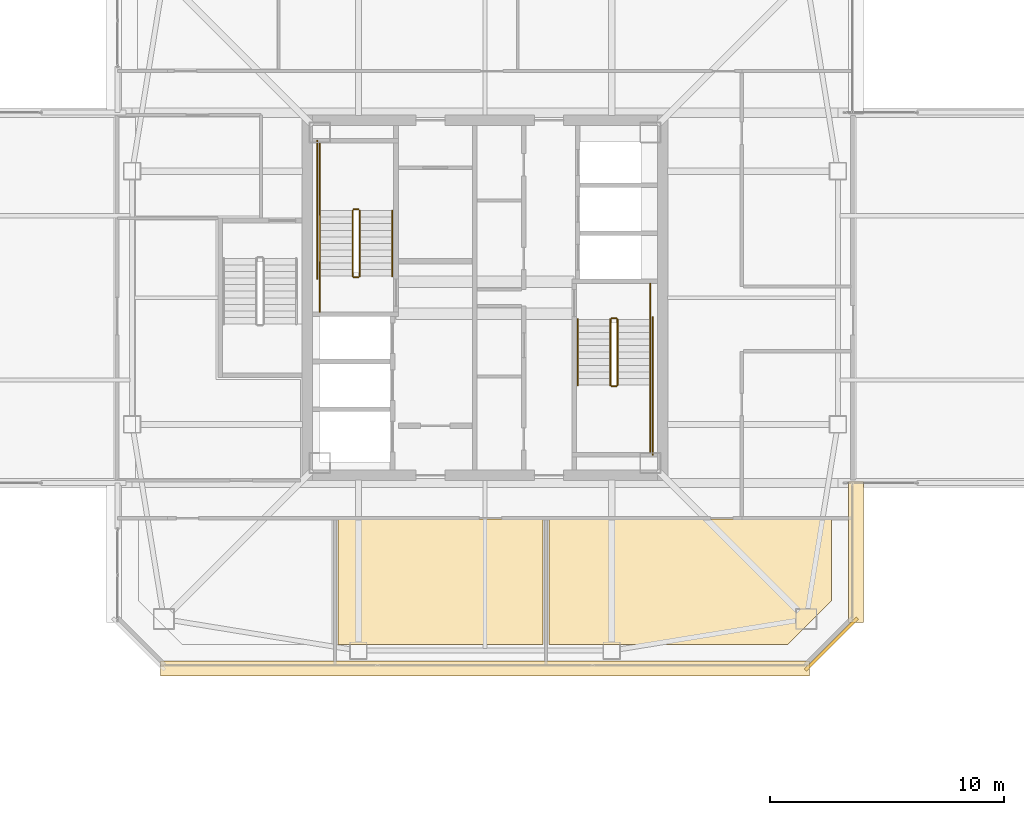
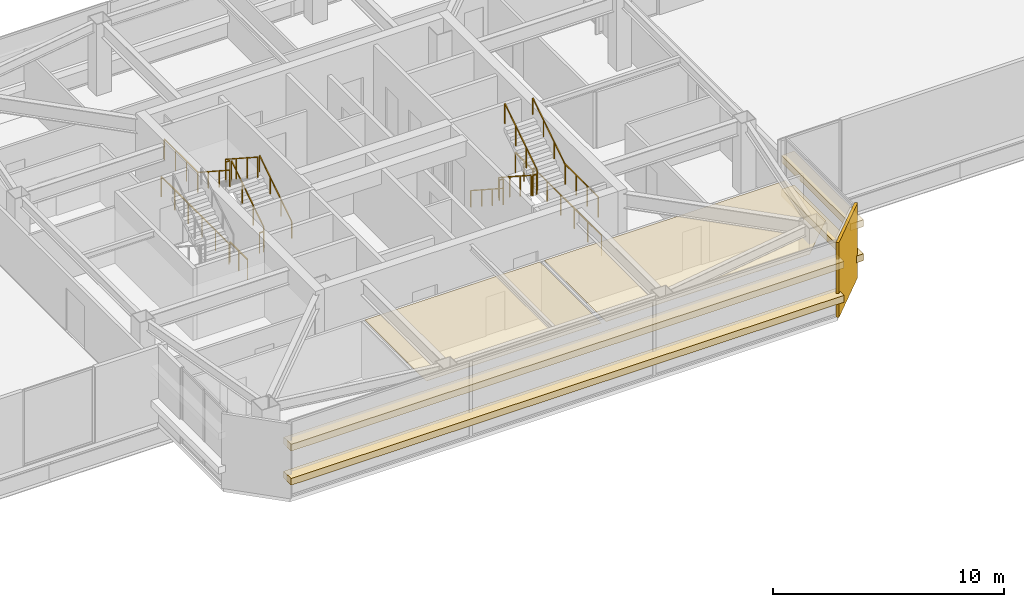
# One storey, part 46 of 51: 18 railings, 7 coverings.
"""IFC4 building model written with IfcOpenShell, lengths in metres."""

from ifc_helpers import new_model, si_unit, direction, frame, origin, origin_2d, place, context, subcontext, project, spatial, polyline, rectangle, outline, extrude, material, layer, layer_set, type_object, element, save


model = new_model("IFC4")

# Units and contexts
model_context = context("Model", 3, precision=1e-05, world=origin(), true_north=direction((0.0, 1.0)))
body_context = subcontext(model_context, "Body", "Model", "MODEL_VIEW")
ifc_project = project(units=[si_unit("LENGTHUNIT", "METRE"), si_unit("AREAUNIT", "SQUARE_METRE"), si_unit("VOLUMEUNIT", "CUBIC_METRE"), si_unit("PLANEANGLEUNIT", "RADIAN"), si_unit("MASSUNIT", "GRAM", prefix="KILO")], contexts=[model_context])

# Site, building, storey
site_placement = place(None, origin())
site = spatial("IfcSite", under=ifc_project, at=site_placement, CompositionType="ELEMENT")
building_placement = place(site_placement, origin())
building = spatial("IfcBuilding", under=site, at=building_placement, Name="Tashvorn Skyway Center", CompositionType="ELEMENT")
storey_placement = place(building_placement, frame((0.0, 0.0, 251.39990234375)))
storey = spatial("IfcBuildingStorey", under=building, at=storey_placement, Name="L68", CompositionType="ELEMENT", Elevation=251.39990234375)

# Coverings
ifc_material_1 = material(Name="Mineral-fibre acoustic ceiling tile on suspended grid")
ifc_layer_1 = layer(ifc_material_1, 0.02001953125)
ifc_layer_set_1 = layer_set([ifc_layer_1], Name="Mineral-fibre acoustic ceiling tile on suspended grid")
covering_type_1 = type_object("IfcCoveringType", Name="COV-CEIL-20", PredefinedType="CEILING", material=ifc_layer_set_1)
covering_1_placement = place(storey_placement, frame((0.0, 0.0, 2.951171875)))
element("IfcCovering", 1, at=covering_1_placement, inside=storey, type_object=covering_type_1, Name="Tower 1 L68 Boardroom Acoustic Ceiling", PredefinedType="CEILING", context=body_context, shape_type="SweptSolid", body=[
    extrude(outline(polyline([(35.719970703125, 22.56005859375), (44.47998046875, 22.56005859375), (44.47998046875, 17.219970703125), (35.719970703125, 17.219970703125), (35.719970703125, 22.56005859375)])), origin(), (0.0, 0.0, 1.0), 0.02001953125),
])
covering_2_placement = place(storey_placement, frame((0.0, 0.0, 2.951171875)))
element("IfcCovering", 2, at=covering_2_placement, inside=storey, type_object=covering_type_1, Name="Tower 1 L68 Boardroom Acoustic Ceiling", PredefinedType="CEILING", context=body_context, shape_type="SweptSolid", body=[
    extrude(outline(polyline([(44.719970703125, 17.219970703125), (44.719970703125, 22.56005859375), (56.780029296875, 22.56005859375), (56.780029296875, 19.080078125), (54.919921875, 17.219970703125), (44.719970703125, 17.219970703125)])), origin(), (0.0, 0.0, 1.0), 0.02001953125),
])
ifc_material_2 = material(Name="Perforated ceramic-coated bronze aluminium solar screen", Category="aluminium")
ifc_layer_2 = layer(ifc_material_2, 0.85009765625)
ifc_layer_set_2 = layer_set([ifc_layer_2], Name="Perforated ceramic-coated bronze aluminium solar screen")
covering_type_2 = type_object("IfcCoveringType", Name="COV-SOLAR-BAND", PredefinedType="CLADDING", material=ifc_layer_set_2)
for number, where, z_axis, x_axis, name in (
    (3, (42.0, 16.179931640625, 0.919921875), (0.0, 0.0, 1.0), (-1.0, 0.0, 0.0), "L68 Perforated Ceramic-Metal Solar Screen Louvre Band South 1"),
    (4, (42.0, 16.179931640625, 2.72021484375), (0.0, 0.0, 1.0), (-1.0, 0.0, 0.0), "L68 Perforated Ceramic-Metal Solar Screen Louvre Band South 2"),
):
    element("IfcCovering", number, at=place(storey_placement, frame(where, z_axis=z_axis, x_axis=x_axis)), inside=storey, type_object=covering_type_2, Name=name, PredefinedType="CLADDING", context=body_context, shape_type="SweptSolid", body=[
        extrude(rectangle(XDim=27.679931640625, YDim=0.639892578125, at=origin_2d()), origin(), (0.0, 0.0, 1.0), 0.360107421875),
    ])
for number, where, z_axis, x_axis, name in (
    (5, (57.820068359375, 21.159912109375, 0.919921875), (0.0, 0.0, 1.0), (0.0, -1.0, 0.0), "L68 Perforated Ceramic-Metal Solar Screen Louvre Band East 1"),
    (6, (57.820068359375, 21.159912109375, 2.72021484375), (0.0, 0.0, 1.0), (0.0, -1.0, 0.0), "L68 Perforated Ceramic-Metal Solar Screen Louvre Band East 2"),
):
    element("IfcCovering", number, at=place(storey_placement, frame(where, z_axis=z_axis, x_axis=x_axis)), inside=storey, type_object=covering_type_2, Name=name, PredefinedType="CLADDING", context=body_context, shape_type="SweptSolid", body=[
        extrude(rectangle(XDim=6.0, YDim=0.639892578125, at=origin_2d()), origin(), (0.0, 0.0, 1.0), 0.360107421875),
    ])
ifc_material_3 = material(Name="Precast concrete C40/50", Category="concrete")
ifc_layer_3 = layer(ifc_material_3, 0.35009765625)
ifc_layer_set_3 = layer_set([ifc_layer_3], Name="Precast concrete C40/50")
covering_type_3 = type_object("IfcCoveringType", Name="COV-STONE-TRIM", PredefinedType="CLADDING", material=ifc_layer_set_3)
covering_3_placement = place(storey_placement, frame((56.77001953125, 17.22998046875, 0.02001953125), z_axis=(0.0, 0.0, 1.0), x_axis=(0.707106781187, 0.707106781187, 0.0)))
element("IfcCovering", 7, at=covering_3_placement, inside=storey, type_object=covering_type_3, Name="Tower 1 L68 SE Mojave Limestone Corner Quoin", PredefinedType="CLADDING", context=body_context, shape_type="SweptSolid", body=[
    extrude(rectangle(XDim=3.1298828125, YDim=0.139892578125, at=origin_2d()), origin(), (0.0, 0.0, 1.0), 3.9599609375),
])

# Railings
ifc_material_4 = material(Name="Brushed stainless steel 316", Category="steel")
railing_type_1 = type_object("IfcRailingType", Name="RAIL-HAND-920", PredefinedType="HANDRAIL", material=ifc_material_4)
railing_1_placement = place(storey_placement, frame((38.050048828125, 32.919921875, 0.181884765625)))
element("IfcRailing", 8, at=railing_1_placement, inside=storey, type_object=railing_type_1, Name="L68 ST-T1-1 stair handrail 1", PredefinedType="HANDRAIL", context=body_context, shape_type="SweptSolid", body=[
    extrude(rectangle(XDim=0.048095703125, YDim=0.048095703125, at=origin_2d()), frame((0.0, 0.0, 0.8759765625), z_axis=(0.0, 0.838705829183, 0.544584733623), x_axis=(-1.0, 0.0, 0.0)), (0.0, 0.0, 1.0), 3.338623046875),
    extrude(rectangle(XDim=0.0419921875, YDim=0.0419921875, at=origin_2d()), origin(), (0.0, 0.0, 1.0), 0.851806640625),
    extrude(rectangle(XDim=0.0419921875, YDim=0.0419921875, at=origin_2d()), frame((0.0, 0.933349609375, 0.60595703125)), (0.0, 0.0, 1.0), 0.851806640625),
    extrude(rectangle(XDim=0.0419921875, YDim=0.0419921875, at=origin_2d()), frame((0.0, 1.86669921875, 1.212158203125)), (0.0, 0.0, 1.0), 0.851806640625),
    extrude(rectangle(XDim=0.0419921875, YDim=0.0419921875, at=origin_2d()), frame((0.0, 2.800048828125, 1.818115234375)), (0.0, 0.0, 1.0), 0.851806640625),
])
for number, where, name in (
    (9, (34.949951171875, 35.719970703125, 2.181884765625), "L68 ST-T1-1 stair handrail 2"),
    (10, (45.949951171875, 31.080078125, 0.181884765625), "L68 ST-T1-2 stair handrail 1"),
):
    element("IfcRailing", number, at=place(storey_placement, frame(where)), inside=storey, type_object=railing_type_1, Name=name, PredefinedType="HANDRAIL", context=body_context, shape_type="SweptSolid", body=[
        extrude(rectangle(XDim=0.048095703125, YDim=0.048095703125, at=origin_2d()), frame((0.0, 0.0, 0.8759765625), z_axis=(0.0, -0.838705829183, 0.544584733623), x_axis=(1.0, 0.0, 0.0)), (0.0, 0.0, 1.0), 3.338623046875),
        extrude(rectangle(XDim=0.0419921875, YDim=0.0419921875, at=origin_2d()), origin(), (0.0, 0.0, 1.0), 0.851806640625),
        extrude(rectangle(XDim=0.0419921875, YDim=0.0419921875, at=origin_2d()), frame((0.0, -0.933349609375, 0.60595703125)), (0.0, 0.0, 1.0), 0.851806640625),
        extrude(rectangle(XDim=0.0419921875, YDim=0.0419921875, at=origin_2d()), frame((0.0, -1.86669921875, 1.212158203125)), (0.0, 0.0, 1.0), 0.851806640625),
        extrude(rectangle(XDim=0.0419921875, YDim=0.0419921875, at=origin_2d()), frame((0.0, -2.800048828125, 1.818115234375)), (0.0, 0.0, 1.0), 0.851806640625),
    ])
railing_2_placement = place(storey_placement, frame((49.050048828125, 28.280029296875, 2.181884765625)))
element("IfcRailing", 11, at=railing_2_placement, inside=storey, type_object=railing_type_1, Name="L68 ST-T1-2 stair handrail 2", PredefinedType="HANDRAIL", context=body_context, shape_type="SweptSolid", body=[
    extrude(rectangle(XDim=0.048095703125, YDim=0.048095703125, at=origin_2d()), frame((0.0, 0.0, 0.8759765625), z_axis=(0.0, 0.838705829183, 0.544584733623), x_axis=(-1.0, 0.0, 0.0)), (0.0, 0.0, 1.0), 3.338623046875),
    extrude(rectangle(XDim=0.0419921875, YDim=0.0419921875, at=origin_2d()), origin(), (0.0, 0.0, 1.0), 0.851806640625),
    extrude(rectangle(XDim=0.0419921875, YDim=0.0419921875, at=origin_2d()), frame((0.0, 0.933349609375, 0.60595703125)), (0.0, 0.0, 1.0), 0.851806640625),
    extrude(rectangle(XDim=0.0419921875, YDim=0.0419921875, at=origin_2d()), frame((0.0, 1.86669921875, 1.212158203125)), (0.0, 0.0, 1.0), 0.851806640625),
    extrude(rectangle(XDim=0.0419921875, YDim=0.0419921875, at=origin_2d()), frame((0.0, 2.800048828125, 1.818115234375)), (0.0, 0.0, 1.0), 0.851806640625),
])
ifc_material_5 = material(Name="Painted galvanized steel S355", Category="steel")
railing_type_2 = type_object("IfcRailingType", Name="RAIL-STGUARD-1100", PredefinedType="GUARDRAIL", material=ifc_material_5)
railing_3_placement = place(storey_placement, frame((36.64990234375, 32.919921875, 0.181884765625)))
element("IfcRailing", 12, at=railing_3_placement, inside=storey, type_object=railing_type_2, Name="L68 ST-T1-1 stair guard 1", PredefinedType="GUARDRAIL", context=body_context, shape_type="SweptSolid", body=[
    extrude(rectangle(XDim=0.048095703125, YDim=0.048095703125, at=origin_2d()), frame((0.0, 0.0, 1.076171875), z_axis=(0.0, 0.838705829183, 0.544584733623), x_axis=(-1.0, 0.0, 0.0)), (0.0, 0.0, 1.0), 3.338623046875),
    extrude(rectangle(XDim=0.0419921875, YDim=0.0419921875, at=origin_2d()), origin(), (0.0, 0.0, 1.0), 1.052001953125),
    extrude(rectangle(XDim=0.0419921875, YDim=0.0419921875, at=origin_2d()), frame((0.0, 0.933349609375, 0.60595703125)), (0.0, 0.0, 1.0), 1.052001953125),
    extrude(rectangle(XDim=0.0419921875, YDim=0.0419921875, at=origin_2d()), frame((0.0, 1.86669921875, 1.212158203125)), (0.0, 0.0, 1.0), 1.052001953125),
    extrude(rectangle(XDim=0.0419921875, YDim=0.0419921875, at=origin_2d()), frame((0.0, 2.800048828125, 1.818115234375)), (0.0, 0.0, 1.0), 1.052001953125),
])
railing_4_placement = place(storey_placement, frame((36.60009765625, 35.77001953125, 2.0)))
element("IfcRailing", 13, at=railing_4_placement, inside=storey, type_object=railing_type_2, Name="L68 ST-T1-1 stair guard 2", PredefinedType="GUARDRAIL", context=body_context, shape_type="SweptSolid", body=[
    extrude(rectangle(XDim=0.048095703125, YDim=0.048095703125, at=origin_2d()), frame((0.0, 0.0, 1.076171875), z_axis=(-1.0, 0.0, 0.0), x_axis=(0.0, -1.0, 0.0)), (0.0, 0.0, 1.0), 0.2001953125),
    extrude(rectangle(XDim=0.0419921875, YDim=0.0419921875, at=origin_2d()), origin(), (0.0, 0.0, 1.0), 1.052001953125),
    extrude(rectangle(XDim=0.0419921875, YDim=0.0419921875, at=origin_2d()), frame((-0.2001953125, 0.0, 0.0)), (0.0, 0.0, 1.0), 1.052001953125),
])
railing_5_placement = place(storey_placement, frame((34.949951171875, 35.719970703125, 2.0)))
element("IfcRailing", 14, at=railing_5_placement, inside=storey, type_object=railing_type_2, Name="L68 ST-T1-1 stair guard 3", PredefinedType="GUARDRAIL", context=body_context, shape_type="SweptSolid", body=[
    extrude(rectangle(XDim=0.048095703125, YDim=0.048095703125, at=origin_2d()), frame((0.0, 0.0, 1.076171875), z_axis=(0.0, 1.0, 0.0), x_axis=(-1.0, 0.0, 0.0)), (0.0, 0.0, 1.0), 2.880126953125),
    extrude(rectangle(XDim=0.0419921875, YDim=0.0419921875, at=origin_2d()), origin(), (0.0, 0.0, 1.0), 1.052001953125),
    extrude(rectangle(XDim=0.0419921875, YDim=0.0419921875, at=origin_2d()), frame((0.0, 0.9599609375, 0.0)), (0.0, 0.0, 1.0), 1.052001953125),
    extrude(rectangle(XDim=0.0419921875, YDim=0.0419921875, at=origin_2d()), frame((0.0, 1.920166015625, 0.0)), (0.0, 0.0, 1.0), 1.052001953125),
    extrude(rectangle(XDim=0.0419921875, YDim=0.0419921875, at=origin_2d()), frame((0.0, 2.880126953125, 0.0)), (0.0, 0.0, 1.0), 1.052001953125),
])
railing_6_placement = place(storey_placement, frame((36.35009765625, 35.719970703125, 2.181884765625)))
element("IfcRailing", 15, at=railing_6_placement, inside=storey, type_object=railing_type_2, Name="L68 ST-T1-1 stair guard 4", PredefinedType="GUARDRAIL", context=body_context, shape_type="SweptSolid", body=[
    extrude(rectangle(XDim=0.048095703125, YDim=0.048095703125, at=origin_2d()), frame((0.0, 0.0, 1.076171875), z_axis=(0.0, -0.838705829183, 0.544584733623), x_axis=(1.0, 0.0, 0.0)), (0.0, 0.0, 1.0), 3.338623046875),
    extrude(rectangle(XDim=0.0419921875, YDim=0.0419921875, at=origin_2d()), origin(), (0.0, 0.0, 1.0), 1.052001953125),
    extrude(rectangle(XDim=0.0419921875, YDim=0.0419921875, at=origin_2d()), frame((0.0, -0.933349609375, 0.60595703125)), (0.0, 0.0, 1.0), 1.052001953125),
    extrude(rectangle(XDim=0.0419921875, YDim=0.0419921875, at=origin_2d()), frame((0.0, -1.86669921875, 1.212158203125)), (0.0, 0.0, 1.0), 1.052001953125),
    extrude(rectangle(XDim=0.0419921875, YDim=0.0419921875, at=origin_2d()), frame((0.0, -2.800048828125, 1.818115234375)), (0.0, 0.0, 1.0), 1.052001953125),
])
railing_7_placement = place(storey_placement, frame((36.60009765625, 32.8701171875, 0.0)))
element("IfcRailing", 16, at=railing_7_placement, inside=storey, type_object=railing_type_2, Name="L68 ST-T1-1 stair guard 5", PredefinedType="GUARDRAIL", context=body_context, shape_type="SweptSolid", body=[
    extrude(rectangle(XDim=0.048095703125, YDim=0.048095703125, at=origin_2d()), frame((0.0, 0.0, 1.076171875), z_axis=(-1.0, 0.0, 0.0), x_axis=(0.0, -1.0, 0.0)), (0.0, 0.0, 1.0), 0.2001953125),
    extrude(rectangle(XDim=0.0419921875, YDim=0.0419921875, at=origin_2d()), origin(), (0.0, 0.0, 1.0), 1.052001953125),
    extrude(rectangle(XDim=0.0419921875, YDim=0.0419921875, at=origin_2d()), frame((-0.2001953125, 0.0, 0.0)), (0.0, 0.0, 1.0), 1.052001953125),
])
railing_8_placement = place(storey_placement, frame((34.949951171875, 31.39990234375, 0.0)))
element("IfcRailing", 17, at=railing_8_placement, inside=storey, type_object=railing_type_2, Name="L68 ST-T1-1 stair guard 6", PredefinedType="GUARDRAIL", context=body_context, shape_type="SweptSolid", body=[
    extrude(rectangle(XDim=0.048095703125, YDim=0.048095703125, at=origin_2d()), frame((0.0, 0.0, 1.076171875), z_axis=(0.0, 1.0, 0.0), x_axis=(-1.0, 0.0, 0.0)), (0.0, 0.0, 1.0), 1.52001953125),
    extrude(rectangle(XDim=0.0419921875, YDim=0.0419921875, at=origin_2d()), origin(), (0.0, 0.0, 1.0), 1.052001953125),
    extrude(rectangle(XDim=0.0419921875, YDim=0.0419921875, at=origin_2d()), frame((0.0, 0.760009765625, 0.0)), (0.0, 0.0, 1.0), 1.052001953125),
    extrude(rectangle(XDim=0.0419921875, YDim=0.0419921875, at=origin_2d()), frame((0.0, 1.52001953125, 0.0)), (0.0, 0.0, 1.0), 1.052001953125),
])
railing_9_placement = place(storey_placement, frame((34.85009765625, 32.820068359375, 0.0)))
element("IfcRailing", 18, at=railing_9_placement, inside=storey, type_object=railing_type_2, Name="L68 ST-T1-1 stair guard 7", PredefinedType="GUARDRAIL", context=body_context, shape_type="SweptSolid", body=[
    extrude(rectangle(XDim=0.048095703125, YDim=0.048095703125, at=origin_2d()), frame((0.0, 0.0, 1.076171875), z_axis=(0.0, 1.0, 0.0), x_axis=(-1.0, 0.0, 0.0)), (0.0, 0.0, 1.0), 5.8798828125),
    extrude(rectangle(XDim=0.0419921875, YDim=0.0419921875, at=origin_2d()), origin(), (0.0, 0.0, 1.0), 1.052001953125),
    extrude(rectangle(XDim=0.0419921875, YDim=0.0419921875, at=origin_2d()), frame((0.0, 1.176025390625, 0.0)), (0.0, 0.0, 1.0), 1.052001953125),
    extrude(rectangle(XDim=0.0419921875, YDim=0.0419921875, at=origin_2d()), frame((0.0, 2.35205078125, 0.0)), (0.0, 0.0, 1.0), 1.052001953125),
    extrude(rectangle(XDim=0.0419921875, YDim=0.0419921875, at=origin_2d()), frame((0.0, 3.52783203125, 0.0)), (0.0, 0.0, 1.0), 1.052001953125),
    extrude(rectangle(XDim=0.0419921875, YDim=0.0419921875, at=origin_2d()), frame((0.0, 4.703857421875, 0.0)), (0.0, 0.0, 1.0), 1.052001953125),
    extrude(rectangle(XDim=0.0419921875, YDim=0.0419921875, at=origin_2d()), frame((0.0, 5.8798828125, 0.0)), (0.0, 0.0, 1.0), 1.052001953125),
])
railing_10_placement = place(storey_placement, frame((47.35009765625, 31.080078125, 0.181884765625)))
element("IfcRailing", 19, at=railing_10_placement, inside=storey, type_object=railing_type_2, Name="L68 ST-T1-2 stair guard 1", PredefinedType="GUARDRAIL", context=body_context, shape_type="SweptSolid", body=[
    extrude(rectangle(XDim=0.048095703125, YDim=0.048095703125, at=origin_2d()), frame((0.0, 0.0, 1.076171875), z_axis=(0.0, -0.838705829183, 0.544584733623), x_axis=(1.0, 0.0, 0.0)), (0.0, 0.0, 1.0), 3.338623046875),
    extrude(rectangle(XDim=0.0419921875, YDim=0.0419921875, at=origin_2d()), origin(), (0.0, 0.0, 1.0), 1.052001953125),
    extrude(rectangle(XDim=0.0419921875, YDim=0.0419921875, at=origin_2d()), frame((0.0, -0.933349609375, 0.60595703125)), (0.0, 0.0, 1.0), 1.052001953125),
    extrude(rectangle(XDim=0.0419921875, YDim=0.0419921875, at=origin_2d()), frame((0.0, -1.86669921875, 1.212158203125)), (0.0, 0.0, 1.0), 1.052001953125),
    extrude(rectangle(XDim=0.0419921875, YDim=0.0419921875, at=origin_2d()), frame((0.0, -2.800048828125, 1.818115234375)), (0.0, 0.0, 1.0), 1.052001953125),
])
railing_11_placement = place(storey_placement, frame((47.39990234375, 28.22998046875, 2.0)))
element("IfcRailing", 20, at=railing_11_placement, inside=storey, type_object=railing_type_2, Name="L68 ST-T1-2 stair guard 2", PredefinedType="GUARDRAIL", context=body_context, shape_type="SweptSolid", body=[
    extrude(rectangle(XDim=0.048095703125, YDim=0.048095703125, at=origin_2d()), frame((0.0, 0.0, 1.076171875), z_axis=(1.0, 0.0, 0.0), x_axis=(0.0, 1.0, 0.0)), (0.0, 0.0, 1.0), 0.2001953125),
    extrude(rectangle(XDim=0.0419921875, YDim=0.0419921875, at=origin_2d()), origin(), (0.0, 0.0, 1.0), 1.052001953125),
    extrude(rectangle(XDim=0.0419921875, YDim=0.0419921875, at=origin_2d()), frame((0.2001953125, 0.0, 0.0)), (0.0, 0.0, 1.0), 1.052001953125),
])
railing_12_placement = place(storey_placement, frame((49.050048828125, 28.280029296875, 2.0)))
element("IfcRailing", 21, at=railing_12_placement, inside=storey, type_object=railing_type_2, Name="L68 ST-T1-2 stair guard 3", PredefinedType="GUARDRAIL", context=body_context, shape_type="SweptSolid", body=[
    extrude(rectangle(XDim=0.048095703125, YDim=0.048095703125, at=origin_2d()), frame((0.0, 0.0, 1.076171875), z_axis=(0.0, -1.0, 0.0), x_axis=(1.0, 0.0, 0.0)), (0.0, 0.0, 1.0), 2.880126953125),
    extrude(rectangle(XDim=0.0419921875, YDim=0.0419921875, at=origin_2d()), origin(), (0.0, 0.0, 1.0), 1.052001953125),
    extrude(rectangle(XDim=0.0419921875, YDim=0.0419921875, at=origin_2d()), frame((0.0, -0.9599609375, 0.0)), (0.0, 0.0, 1.0), 1.052001953125),
    extrude(rectangle(XDim=0.0419921875, YDim=0.0419921875, at=origin_2d()), frame((0.0, -1.920166015625, 0.0)), (0.0, 0.0, 1.0), 1.052001953125),
    extrude(rectangle(XDim=0.0419921875, YDim=0.0419921875, at=origin_2d()), frame((0.0, -2.880126953125, 0.0)), (0.0, 0.0, 1.0), 1.052001953125),
])
railing_13_placement = place(storey_placement, frame((47.64990234375, 28.280029296875, 2.181884765625)))
element("IfcRailing", 22, at=railing_13_placement, inside=storey, type_object=railing_type_2, Name="L68 ST-T1-2 stair guard 4", PredefinedType="GUARDRAIL", context=body_context, shape_type="SweptSolid", body=[
    extrude(rectangle(XDim=0.048095703125, YDim=0.048095703125, at=origin_2d()), frame((0.0, 0.0, 1.076171875), z_axis=(0.0, 0.838705829183, 0.544584733623), x_axis=(-1.0, 0.0, 0.0)), (0.0, 0.0, 1.0), 3.338623046875),
    extrude(rectangle(XDim=0.0419921875, YDim=0.0419921875, at=origin_2d()), origin(), (0.0, 0.0, 1.0), 1.052001953125),
    extrude(rectangle(XDim=0.0419921875, YDim=0.0419921875, at=origin_2d()), frame((0.0, 0.933349609375, 0.60595703125)), (0.0, 0.0, 1.0), 1.052001953125),
    extrude(rectangle(XDim=0.0419921875, YDim=0.0419921875, at=origin_2d()), frame((0.0, 1.86669921875, 1.212158203125)), (0.0, 0.0, 1.0), 1.052001953125),
    extrude(rectangle(XDim=0.0419921875, YDim=0.0419921875, at=origin_2d()), frame((0.0, 2.800048828125, 1.818115234375)), (0.0, 0.0, 1.0), 1.052001953125),
])
railing_14_placement = place(storey_placement, frame((47.39990234375, 31.1298828125, 0.0)))
element("IfcRailing", 23, at=railing_14_placement, inside=storey, type_object=railing_type_2, Name="L68 ST-T1-2 stair guard 5", PredefinedType="GUARDRAIL", context=body_context, shape_type="SweptSolid", body=[
    extrude(rectangle(XDim=0.048095703125, YDim=0.048095703125, at=origin_2d()), frame((0.0, 0.0, 1.076171875), z_axis=(1.0, 0.0, 0.0), x_axis=(0.0, 1.0, 0.0)), (0.0, 0.0, 1.0), 0.2001953125),
    extrude(rectangle(XDim=0.0419921875, YDim=0.0419921875, at=origin_2d()), origin(), (0.0, 0.0, 1.0), 1.052001953125),
    extrude(rectangle(XDim=0.0419921875, YDim=0.0419921875, at=origin_2d()), frame((0.2001953125, 0.0, 0.0)), (0.0, 0.0, 1.0), 1.052001953125),
])
railing_15_placement = place(storey_placement, frame((49.050048828125, 32.60009765625, 0.0)))
element("IfcRailing", 24, at=railing_15_placement, inside=storey, type_object=railing_type_2, Name="L68 ST-T1-2 stair guard 6", PredefinedType="GUARDRAIL", context=body_context, shape_type="SweptSolid", body=[
    extrude(rectangle(XDim=0.048095703125, YDim=0.048095703125, at=origin_2d()), frame((0.0, 0.0, 1.076171875), z_axis=(0.0, -1.0, 0.0), x_axis=(1.0, 0.0, 0.0)), (0.0, 0.0, 1.0), 1.52001953125),
    extrude(rectangle(XDim=0.0419921875, YDim=0.0419921875, at=origin_2d()), origin(), (0.0, 0.0, 1.0), 1.052001953125),
    extrude(rectangle(XDim=0.0419921875, YDim=0.0419921875, at=origin_2d()), frame((0.0, -0.760009765625, 0.0)), (0.0, 0.0, 1.0), 1.052001953125),
    extrude(rectangle(XDim=0.0419921875, YDim=0.0419921875, at=origin_2d()), frame((0.0, -1.52001953125, 0.0)), (0.0, 0.0, 1.0), 1.052001953125),
])
railing_16_placement = place(storey_placement, frame((49.14990234375, 31.179931640625, 0.0)))
element("IfcRailing", 25, at=railing_16_placement, inside=storey, type_object=railing_type_2, Name="L68 ST-T1-2 stair guard 7", PredefinedType="GUARDRAIL", context=body_context, shape_type="SweptSolid", body=[
    extrude(rectangle(XDim=0.048095703125, YDim=0.048095703125, at=origin_2d()), frame((0.0, 0.0, 1.076171875), z_axis=(0.0, -1.0, 0.0), x_axis=(1.0, 0.0, 0.0)), (0.0, 0.0, 1.0), 5.8798828125),
    extrude(rectangle(XDim=0.0419921875, YDim=0.0419921875, at=origin_2d()), origin(), (0.0, 0.0, 1.0), 1.052001953125),
    extrude(rectangle(XDim=0.0419921875, YDim=0.0419921875, at=origin_2d()), frame((0.0, -1.176025390625, 0.0)), (0.0, 0.0, 1.0), 1.052001953125),
    extrude(rectangle(XDim=0.0419921875, YDim=0.0419921875, at=origin_2d()), frame((0.0, -2.35205078125, 0.0)), (0.0, 0.0, 1.0), 1.052001953125),
    extrude(rectangle(XDim=0.0419921875, YDim=0.0419921875, at=origin_2d()), frame((0.0, -3.52783203125, 0.0)), (0.0, 0.0, 1.0), 1.052001953125),
    extrude(rectangle(XDim=0.0419921875, YDim=0.0419921875, at=origin_2d()), frame((0.0, -4.703857421875, 0.0)), (0.0, 0.0, 1.0), 1.052001953125),
    extrude(rectangle(XDim=0.0419921875, YDim=0.0419921875, at=origin_2d()), frame((0.0, -5.8798828125, 0.0)), (0.0, 0.0, 1.0), 1.052001953125),
])

save(model, "model.ifc")
